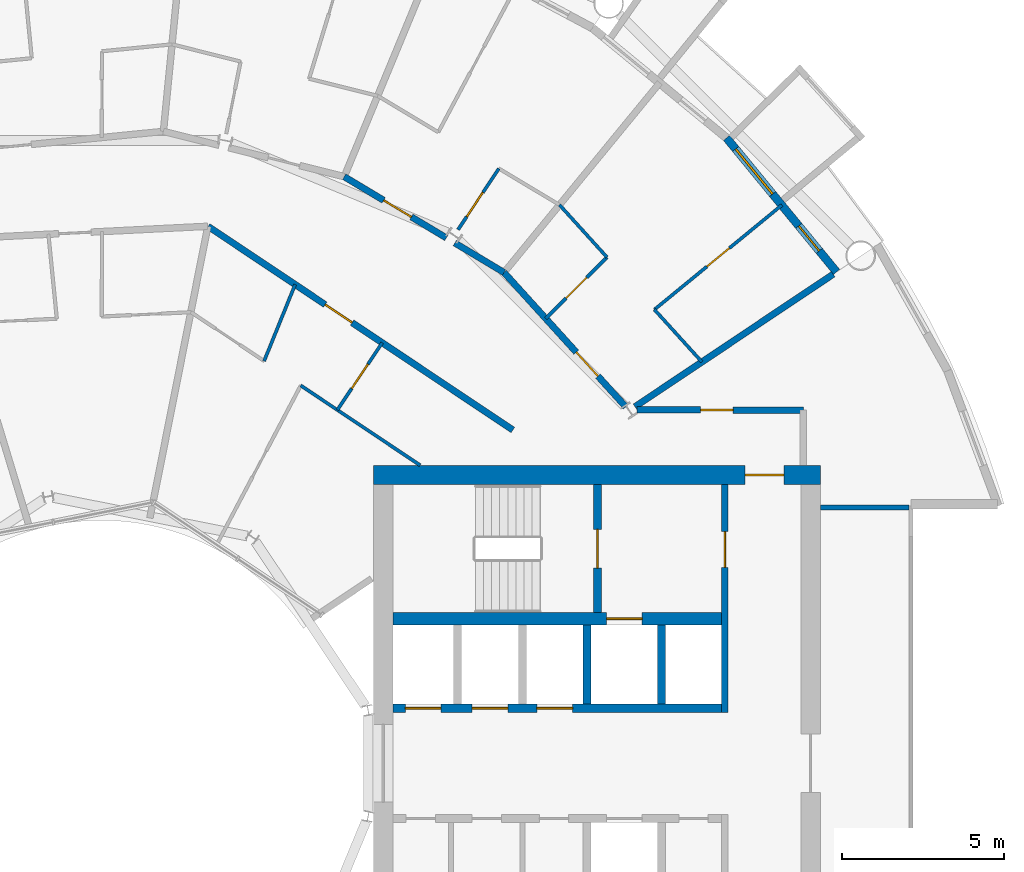
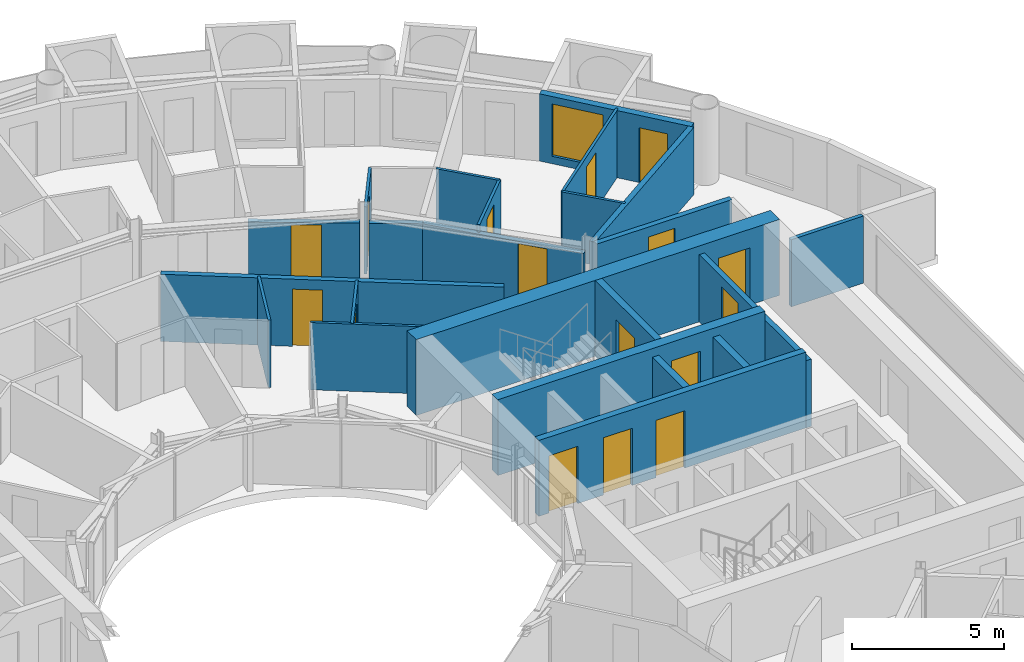
# One storey, part 22 of 26: 23 walls, 16 doors, 1 window, 17 openings.
"""IFC4 building model written with IfcOpenShell, lengths in metres."""

from ifc_helpers import new_model, si_unit, direction, frame, frame_2d, origin, place, context, subcontext, project, spatial, rectangle, extrude, material, layer, layer_set, type_object, element, fill, save


model = new_model("IFC4")

# Units and contexts
model_context = context("Model", 3, precision=1e-05, world=origin(), true_north=direction((0.0, 1.0)))
body_context = subcontext(model_context, "Body", "Model", "MODEL_VIEW")
ifc_project = project(units=[si_unit("LENGTHUNIT", "METRE"), si_unit("AREAUNIT", "SQUARE_METRE"), si_unit("VOLUMEUNIT", "CUBIC_METRE"), si_unit("PLANEANGLEUNIT", "RADIAN"), si_unit("MASSUNIT", "GRAM", prefix="KILO")], contexts=[model_context])

# Site, building, storey
site_placement = place(None, origin())
site = spatial("IfcSite", under=ifc_project, at=site_placement, CompositionType="ELEMENT")
building_placement = place(site_placement, origin())
building = spatial("IfcBuilding", under=site, at=building_placement, Name="Maasbend Ring Residences", CompositionType="ELEMENT")
storey_placement = place(building_placement, frame((0.0, 0.0, 123.85009765625)))
storey = spatial("IfcBuildingStorey", under=building, at=storey_placement, Name="L35", CompositionType="ELEMENT", Elevation=123.85009765625)

# Wall, openings, doors
ifc_material_1 = material(Name="Concrete C60/75", Category="concrete")
ifc_layer_1 = layer(ifc_material_1, 0.25)
ifc_layer_set_1 = layer_set([ifc_layer_1], Name="Concrete C60/75")
wall_type_1 = type_object("IfcWallType", Name="CORE WALL 250 C60/75", PredefinedType="SHEAR", material=ifc_layer_set_1)
wall_1_placement = place(storey_placement, frame((9.0, 1.699951171875, 0.0), z_axis=(0.0, 0.0, 1.0), x_axis=(1.0, 0.0, 0.0)))
wall_1 = element("IfcWall", 1, at=wall_1_placement, inside=storey, type_object=wall_type_1, Name="L35 core E wall SPN", PredefinedType="SHEAR", context=body_context, shape_type="SweptSolid", body=[
    extrude(rectangle(XDim=10.14990234375, YDim=0.25, at=frame_2d((5.074951171875, 0.0))), origin(), (0.0, 0.0, 1.0), 3.0498046875),
])
opening_1_placement = place(wall_1_placement, frame((0.387451171875, 0.0, 0.0)))
opening_1 = element("IfcOpeningElement", 2, at=opening_1_placement, cuts=wall_1, Name="Opening LD-E3501", PredefinedType="OPENING", context=body_context, shape_type="SweptSolid", body=[
    extrude(rectangle(XDim=1.10009765625, YDim=2.300048828125, at=frame_2d((0.550048828125, 1.14990234375))), frame((0.0, 0.135009765625, 0.0), z_axis=(0.0, -1.0, 0.0), x_axis=(1.0, 0.0, 0.0)), (0.0, 0.0, 1.0), 0.27001953125),
])
opening_2_placement = place(wall_1_placement, frame((2.449951171875, 0.0, 0.0)))
opening_2 = element("IfcOpeningElement", 3, at=opening_2_placement, cuts=wall_1, Name="Opening LD-E3502", PredefinedType="OPENING", context=body_context, shape_type="SweptSolid", body=[
    extrude(rectangle(XDim=1.10009765625, YDim=2.300048828125, at=frame_2d((0.550048828125, 1.14990234375))), frame((0.0, 0.135009765625, 0.0), z_axis=(0.0, -1.0, 0.0), x_axis=(1.0, 0.0, 0.0)), (0.0, 0.0, 1.0), 0.27001953125),
])
opening_3_placement = place(wall_1_placement, frame((4.449951171875, 0.0, 0.0)))
opening_3 = element("IfcOpeningElement", 4, at=opening_3_placement, cuts=wall_1, Name="Opening LD-E3503", PredefinedType="OPENING", context=body_context, shape_type="SweptSolid", body=[
    extrude(rectangle(XDim=1.10009765625, YDim=2.300048828125, at=frame_2d((0.550048828125, 1.14990234375))), frame((0.0, 0.135009765625, 0.0), z_axis=(0.0, -1.0, 0.0), x_axis=(1.0, 0.0, 0.0)), (0.0, 0.0, 1.0), 0.27001953125),
])
ifc_material_2 = material(Name="Stainless steel 316", Category="steel")
door_type_1 = type_object("IfcDoorType", Name="LANDING DOOR 1100 X 2300 FD60", OperationType="DOUBLE_DOOR_SLIDING", PredefinedType="DOOR", material=ifc_material_2)
door_1_placement = place(opening_1_placement, origin())
door_1 = element("IfcDoor", 5, at=door_1_placement, inside=storey, type_object=door_type_1, Name="Landing door LR-E1 L35", OperationType="DOUBLE_DOOR_SLIDING", OverallHeight=2.300048828125, OverallWidth=1.10009765625, PredefinedType="DOOR", context=body_context, shape_type="SweptSolid", body=[
    extrude(rectangle(XDim=1.10009765625, YDim=2.300048828125, at=frame_2d((0.550048828125, 1.14990234375))), frame((0.0, 0.02490234375, 0.0), z_axis=(0.0, -1.0, 0.0), x_axis=(1.0, 0.0, 0.0)), (0.0, 0.0, 1.0), 0.050048828125),
])
fill(opening_1, door_1)
door_2_placement = place(opening_2_placement, origin())
door_2 = element("IfcDoor", 6, at=door_2_placement, inside=storey, type_object=door_type_1, Name="Landing door LR-E2 L35", OperationType="DOUBLE_DOOR_SLIDING", OverallHeight=2.300048828125, OverallWidth=1.10009765625, PredefinedType="DOOR", context=body_context, shape_type="SweptSolid", body=[
    extrude(rectangle(XDim=1.10009765625, YDim=2.300048828125, at=frame_2d((0.550048828125, 1.14990234375))), frame((0.0, 0.02490234375, 0.0), z_axis=(0.0, -1.0, 0.0), x_axis=(1.0, 0.0, 0.0)), (0.0, 0.0, 1.0), 0.050048828125),
])
fill(opening_2, door_2)
door_3_placement = place(opening_3_placement, origin())
door_3 = element("IfcDoor", 7, at=door_3_placement, inside=storey, type_object=door_type_1, Name="Landing door LR-E3 L35", OperationType="DOUBLE_DOOR_SLIDING", OverallHeight=2.300048828125, OverallWidth=1.10009765625, PredefinedType="DOOR", context=body_context, shape_type="SweptSolid", body=[
    extrude(rectangle(XDim=1.10009765625, YDim=2.300048828125, at=frame_2d((0.550048828125, 1.14990234375))), frame((0.0, 0.02490234375, 0.0), z_axis=(0.0, -1.0, 0.0), x_axis=(1.0, 0.0, 0.0)), (0.0, 0.0, 1.0), 0.050048828125),
])
fill(opening_3, door_3)

# Wall, opening, door
wall_2_placement = place(storey_placement, frame((15.324951171875, 4.64990234375, 0.0), z_axis=(0.0, 0.0, 1.0), x_axis=(0.0, 1.0, 0.0)))
wall_2 = element("IfcWall", 8, at=wall_2_placement, inside=storey, type_object=wall_type_1, Name="L35 core E wall STEN", PredefinedType="SHEAR", context=body_context, shape_type="SweptSolid", body=[
    extrude(rectangle(XDim=3.9501953125, YDim=0.25, at=frame_2d((1.97509765625, 0.0))), origin(), (0.0, 0.0, 1.0), 3.0498046875),
])
opening_4_placement = place(wall_2_placement, frame((1.375, 0.0, 0.0)))
opening_4 = element("IfcOpeningElement", 9, at=opening_4_placement, cuts=wall_2, Name="Opening D-E3511", PredefinedType="OPENING", context=body_context, shape_type="SweptSolid", body=[
    extrude(rectangle(XDim=1.199951171875, YDim=2.300048828125, at=frame_2d((0.60009765625, 1.14990234375))), frame((0.0, 0.135009765625, 0.0), z_axis=(0.0, -1.0, 0.0), x_axis=(1.0, 0.0, 0.0)), (0.0, 0.0, 1.0), 0.27001953125),
])
ifc_material_3 = material(Name="Steel, powder coated", Category="steel")
door_type_2 = type_object("IfcDoorType", Name="STAIR DOOR 1200 X 2300 FD60", OperationType="NOTDEFINED", PredefinedType="DOOR", material=ifc_material_3)
door_4_placement = place(opening_4_placement, origin())
door_4 = element("IfcDoor", 10, at=door_4_placement, inside=storey, type_object=door_type_2, Name="Stair door ST-E L35", OperationType="SINGLE_SWING_LEFT", OverallHeight=2.300048828125, OverallWidth=1.199951171875, PredefinedType="DOOR", context=body_context, shape_type="SweptSolid", body=[
    extrude(rectangle(XDim=1.199951171875, YDim=2.300048828125, at=frame_2d((0.60009765625, 1.14990234375))), frame((0.0, 0.02490234375, 0.0), z_axis=(0.0, -1.0, 0.0), x_axis=(1.0, 0.0, 0.0)), (0.0, 0.0, 1.0), 0.050048828125),
])
fill(opening_4, door_4)

ifc_material_4 = material(Name="Concrete C60/75", Category="concrete")
ifc_layer_2 = layer(ifc_material_4, 0.375)
ifc_layer_set_2 = layer_set([ifc_layer_2], Name="Concrete C60/75")
wall_type_2 = type_object("IfcWallType", Name="CORE WALL 375 C60/75", PredefinedType="SHEAR", material=ifc_layer_set_2)
wall_3_placement = place(storey_placement, frame((9.0, 4.46240234375, 0.0), z_axis=(0.0, 0.0, 1.0), x_axis=(1.0, 0.0, 0.0)))
wall_3 = element("IfcWall", 11, at=wall_3_placement, inside=storey, type_object=wall_type_2, Name="L35 core E wall BN", PredefinedType="SHEAR", context=body_context, shape_type="SweptSolid", body=[
    extrude(rectangle(XDim=10.14990234375, YDim=0.375, at=frame_2d((5.074951171875, 0.0))), origin(), (0.0, 0.0, 1.0), 3.0498046875),
])
opening_5_placement = place(wall_3_placement, frame((6.60009765625, 0.0, 0.0)))
opening_5 = element("IfcOpeningElement", 12, at=opening_5_placement, cuts=wall_3, Name="Opening LD-E3504", PredefinedType="OPENING", context=body_context, shape_type="SweptSolid", body=[
    extrude(rectangle(XDim=1.10009765625, YDim=2.300048828125, at=frame_2d((0.550048828125, 1.14990234375))), frame((0.0, 0.197509765625, 0.0), z_axis=(0.0, -1.0, 0.0), x_axis=(1.0, 0.0, 0.0)), (0.0, 0.0, 1.0), 0.39501953125),
])
door_5_placement = place(opening_5_placement, origin())
door_5 = element("IfcDoor", 13, at=door_5_placement, inside=storey, type_object=door_type_1, Name="Landing door FF-E L35", OperationType="DOUBLE_DOOR_SLIDING", OverallHeight=2.300048828125, OverallWidth=1.10009765625, PredefinedType="DOOR", context=body_context, shape_type="SweptSolid", body=[
    extrude(rectangle(XDim=1.10009765625, YDim=2.300048828125, at=frame_2d((0.550048828125, 1.14990234375))), frame((0.0, 0.02490234375, 0.0), z_axis=(0.0, -1.0, 0.0), x_axis=(1.0, 0.0, 0.0)), (0.0, 0.0, 1.0), 0.050048828125),
])
fill(opening_5, door_5)

ifc_material_5 = material(Name="Concrete C60/75", Category="concrete")
ifc_layer_3 = layer(ifc_material_5, 0.60009765625)
ifc_layer_set_3 = layer_set([ifc_layer_3], Name="Concrete C60/75")
wall_type_3 = type_object("IfcWallType", Name="CORE WALL 600 C60/75", PredefinedType="SHEAR", material=ifc_layer_set_3)
wall_4_placement = place(storey_placement, frame((22.199951171875, 8.89990234375, 0.0), z_axis=(0.0, 0.0, 1.0), x_axis=(-1.0, 0.0, 0.0)))
wall_4 = element("IfcWall", 14, at=wall_4_placement, inside=storey, type_object=wall_type_3, Name="L35 core E wall PN", PredefinedType="SHEAR", context=body_context, shape_type="SweptSolid", body=[
    extrude(rectangle(XDim=13.800048828125, YDim=0.60009765625, at=frame_2d((6.89990234375, 0.0))), origin(), (0.0, 0.0, 1.0), 3.0498046875),
])
opening_6_placement = place(wall_4_placement, frame((1.125, 0.0, 0.0)))
opening_6 = element("IfcOpeningElement", 15, at=opening_6_placement, cuts=wall_4, Name="Opening D-E3515", PredefinedType="OPENING", context=body_context, shape_type="SweptSolid", body=[
    extrude(rectangle(XDim=1.199951171875, YDim=2.300048828125, at=frame_2d((0.60009765625, 1.14990234375))), frame((0.0, 0.31005859375, 0.0), z_axis=(0.0, -1.0, 0.0), x_axis=(1.0, 0.0, 0.0)), (0.0, 0.0, 1.0), 0.6201171875),
])
ifc_material_6 = material(Name="Steel, powder coated", Category="steel")
door_type_3 = type_object("IfcDoorType", Name="CORRIDOR DOOR 1200 X 2300 FD30S", OperationType="NOTDEFINED", PredefinedType="DOOR", material=ifc_material_6)
door_6_placement = place(opening_6_placement, origin())
door_6 = element("IfcDoor", 16, at=door_6_placement, inside=storey, type_object=door_type_3, Name="Corridor door L35", OperationType="SINGLE_SWING_RIGHT", OverallHeight=2.300048828125, OverallWidth=1.199951171875, PredefinedType="DOOR", context=body_context, shape_type="SweptSolid", body=[
    extrude(rectangle(XDim=1.199951171875, YDim=2.300048828125, at=frame_2d((0.60009765625, 1.14990234375))), frame((0.0, 0.02490234375, 0.0), z_axis=(0.0, -1.0, 0.0), x_axis=(1.0, 0.0, 0.0)), (0.0, 0.0, 1.0), 0.050048828125),
])
fill(opening_6, door_6)

ifc_material_7 = material(Name="Concrete C30/37", Category="concrete")
ifc_layer_4 = layer(ifc_material_7, 0.199951171875)
ifc_layer_set_4 = layer_set([ifc_layer_4], Name="Concrete C30/37")
wall_type_4 = type_object("IfcWallType", Name="CORRIDOR WALL 200 CONCRETE", PredefinedType="PARTITIONING", material=ifc_layer_set_4)
wall_5_placement = place(storey_placement, frame((16.541015625, 10.912109375, 0.0), z_axis=(0.0, 0.0, 1.0), x_axis=(0.999997173357, -0.002377662213, 0.0)))
wall_5 = element("IfcWall", 17, at=wall_5_placement, inside=storey, type_object=wall_type_4, Name="U-L35-w099", PredefinedType="PARTITIONING", context=body_context, shape_type="SweptSolid", body=[
    extrude(rectangle(XDim=5.134033203125, YDim=0.199951171875, at=frame_2d((2.56689453125, 0.0))), origin(), (0.0, 0.0, 1.0), 2.699951171875),
])
opening_7_placement = place(wall_5_placement, frame((1.962890625, 0.0, 0.0)))
opening_7 = element("IfcOpeningElement", 18, at=opening_7_placement, cuts=wall_5, Name="Opening D-3566", PredefinedType="OPENING", context=body_context, shape_type="SweptSolid", body=[
    extrude(rectangle(XDim=1.0, YDim=2.300048828125, at=frame_2d((0.5, 1.14990234375))), frame((0.0, 0.10986328125, 0.0), z_axis=(0.0, -1.0, 0.0), x_axis=(1.0, 0.0, 0.0)), (0.0, 0.0, 1.0), 0.219970703125),
])
ifc_material_8 = material(Name="Timber, painted", Category="wood")
door_type_4 = type_object("IfcDoorType", Name="ROOM DOOR 1000 X 2300", OperationType="NOTDEFINED", PredefinedType="DOOR", material=ifc_material_8)
door_7_placement = place(opening_7_placement, origin())
door_7 = element("IfcDoor", 19, at=door_7_placement, inside=storey, type_object=door_type_4, Name="D-3566", OperationType="SINGLE_SWING_LEFT", OverallHeight=2.300048828125, OverallWidth=1.0, PredefinedType="DOOR", context=body_context, shape_type="SweptSolid", body=[
    extrude(rectangle(XDim=1.0, YDim=2.300048828125, at=frame_2d((0.5, 1.14990234375))), frame((0.0, 0.02490234375, 0.0), z_axis=(0.0, -1.0, 0.0), x_axis=(1.0, 0.0, 0.0)), (0.0, 0.0, 1.0), 0.050048828125),
])
fill(opening_7, door_7)

wall_6_placement = place(storey_placement, frame((3.300048828125, 16.573974609375, 0.0), z_axis=(0.0, 0.0, 1.0), x_axis=(0.831455567902, -0.555591251376, 0.0)))
wall_6 = element("IfcWall", 20, at=wall_6_placement, inside=storey, type_object=wall_type_4, Name="U-L35-w106", PredefinedType="PARTITIONING", context=body_context, shape_type="SweptSolid", body=[
    extrude(rectangle(XDim=11.31396484375, YDim=0.199951171875, at=frame_2d((5.656982421875, 0.0))), origin(), (0.0, 0.0, 1.0), 2.699951171875),
])
opening_8_placement = place(wall_6_placement, frame((4.345947265625, 0.0, 0.0)))
opening_8 = element("IfcOpeningElement", 21, at=opening_8_placement, cuts=wall_6, Name="Opening D-3521", PredefinedType="OPENING", context=body_context, shape_type="SweptSolid", body=[
    extrude(rectangle(XDim=1.0, YDim=2.300048828125, at=frame_2d((0.5, 1.14990234375))), frame((0.0, 0.10986328125, 0.0), z_axis=(0.0, -1.0, 0.0), x_axis=(1.0, 0.0, 0.0)), (0.0, 0.0, 1.0), 0.219970703125),
])
ifc_material_9 = material(Name="Timber, fire-rated, painted", Category="wood")
door_type_5 = type_object("IfcDoorType", Name="FLAT ENTRANCE DOOR 1000 X 2300 FIRE-RATED", OperationType="NOTDEFINED", PredefinedType="DOOR", material=ifc_material_9)
door_8_placement = place(opening_8_placement, origin())
door_8 = element("IfcDoor", 22, at=door_8_placement, inside=storey, type_object=door_type_5, Name="D-3521", OperationType="SINGLE_SWING_LEFT", OverallHeight=2.300048828125, OverallWidth=1.0, PredefinedType="DOOR", context=body_context, shape_type="SweptSolid", body=[
    extrude(rectangle(XDim=1.0, YDim=2.300048828125, at=frame_2d((0.5, 1.14990234375))), frame((0.0, 0.02490234375, 0.0), z_axis=(0.0, -1.0, 0.0), x_axis=(1.0, 0.0, 0.0)), (0.0, 0.0, 1.0), 0.050048828125),
])
fill(opening_8, door_8)

wall_7_placement = place(storey_placement, frame((7.5009765625, 18.10791015625, 0.0), z_axis=(0.0, 0.0, 1.0), x_axis=(0.857774179698, -0.514026708103, 0.0)))
wall_7 = element("IfcWall", 23, at=wall_7_placement, inside=storey, type_object=wall_type_4, Name="U-L35-w114", PredefinedType="PARTITIONING", context=body_context, shape_type="SweptSolid", body=[
    extrude(rectangle(XDim=3.6748046875, YDim=0.199951171875, at=frame_2d((1.83740234375, 0.0))), origin(), (0.0, 0.0, 1.0), 2.389892578125),
])
opening_9_placement = place(wall_7_placement, frame((1.41796875, 0.0, 0.0)))
opening_9 = element("IfcOpeningElement", 24, at=opening_9_placement, cuts=wall_7, Name="Opening D-3504", PredefinedType="OPENING", context=body_context, shape_type="SweptSolid", body=[
    extrude(rectangle(XDim=1.0, YDim=2.300048828125, at=frame_2d((0.5, 1.14990234375))), frame((0.0, 0.10986328125, 0.0), z_axis=(0.0, -1.0, 0.0), x_axis=(1.0, 0.0, 0.0)), (0.0, 0.0, 1.0), 0.219970703125),
])
door_9_placement = place(opening_9_placement, origin())
door_9 = element("IfcDoor", 25, at=door_9_placement, inside=storey, type_object=door_type_5, Name="D-3504", OperationType="SINGLE_SWING_RIGHT", OverallHeight=2.300048828125, OverallWidth=1.0, PredefinedType="DOOR", context=body_context, shape_type="SweptSolid", body=[
    extrude(rectangle(XDim=1.0, YDim=2.300048828125, at=frame_2d((0.5, 1.14990234375))), frame((0.0, 0.02490234375, 0.0), z_axis=(0.0, -1.0, 0.0), x_axis=(1.0, 0.0, 0.0)), (0.0, 0.0, 1.0), 0.050048828125),
])
fill(opening_9, door_9)

# Wall
wall_8_placement = place(storey_placement, frame((10.916015625, 16.06103515625, 0.0), z_axis=(0.0, 0.0, 1.0), x_axis=(0.857663265693, -0.514211748875, 0.0)))
element("IfcWall", 26, at=wall_8_placement, inside=storey, type_object=wall_type_4, Name="U-L35-w115", PredefinedType="PARTITIONING", context=body_context, shape_type="SweptSolid", body=[
    extrude(rectangle(XDim=1.77001953125, YDim=0.199951171875, at=frame_2d((0.885009765625, 0.0))), origin(), (0.0, 0.0, 1.0), 2.389892578125),
])

# Wall, opening, door
wall_9_placement = place(storey_placement, frame((12.43408203125, 15.15087890625, 0.0), z_axis=(0.0, 0.0, 1.0), x_axis=(0.671481997275, -0.741020868354, 0.0)))
wall_9 = element("IfcWall", 27, at=wall_9_placement, inside=storey, type_object=wall_type_4, Name="U-L35-w116", PredefinedType="PARTITIONING", context=body_context, shape_type="SweptSolid", body=[
    extrude(rectangle(XDim=5.59619140625, YDim=0.199951171875, at=frame_2d((2.798095703125, 0.0))), origin(), (0.0, 0.0, 1.0), 2.389892578125),
])
opening_10_placement = place(wall_9_placement, frame((3.319091796875, 0.0, 0.0)))
opening_10 = element("IfcOpeningElement", 28, at=opening_10_placement, cuts=wall_9, Name="Opening D-3501", PredefinedType="OPENING", context=body_context, shape_type="SweptSolid", body=[
    extrude(rectangle(XDim=1.0, YDim=2.300048828125, at=frame_2d((0.5, 1.14990234375))), frame((0.0, 0.10986328125, 0.0), z_axis=(0.0, -1.0, 0.0), x_axis=(1.0, 0.0, 0.0)), (0.0, 0.0, 1.0), 0.219970703125),
])
door_10_placement = place(opening_10_placement, origin())
door_10 = element("IfcDoor", 29, at=door_10_placement, inside=storey, type_object=door_type_5, Name="D-3501", OperationType="SINGLE_SWING_RIGHT", OverallHeight=2.300048828125, OverallWidth=1.0, PredefinedType="DOOR", context=body_context, shape_type="SweptSolid", body=[
    extrude(rectangle(XDim=1.0, YDim=2.300048828125, at=frame_2d((0.5, 1.14990234375))), frame((0.0, 0.02490234375, 0.0), z_axis=(0.0, -1.0, 0.0), x_axis=(1.0, 0.0, 0.0)), (0.0, 0.0, 1.0), 0.050048828125),
])
fill(opening_10, door_10)

# Wall, openings, door, window
ifc_material_10 = material(Name="Aluminium clad insulated panel", Category="aluminium")
ifc_layer_5 = layer(ifc_material_10, 0.25)
ifc_layer_set_5 = layer_set([ifc_layer_5], Name="EW-GL")
wall_type_5 = type_object("IfcWallType", Name="EW-GL", PredefinedType="SOLIDWALL", material=ifc_layer_set_5)
wall_10_placement = place(storey_placement, frame((22.698974609375, 15.1669921875, 0.0), z_axis=(0.0, 0.0, 1.0), x_axis=(-0.634382322723, 0.773019449054, 0.0)))
wall_10 = element("IfcWall", 30, at=wall_10_placement, inside=storey, type_object=wall_type_5, Name="External wall N01", PredefinedType="SOLIDWALL", context=body_context, shape_type="SweptSolid", body=[
    extrude(rectangle(XDim=5.351806640625, YDim=0.25, at=frame_2d((2.67578125, 0.0))), origin(), (0.0, 0.0, 1.0), 2.699951171875),
])
opening_11_placement = place(wall_10_placement, frame((0.841064453125, 0.0, 0.0)))
opening_11 = element("IfcOpeningElement", 31, at=opening_11_placement, cuts=wall_10, Name="Opening D-LG", PredefinedType="OPENING", context=body_context, shape_type="SweptSolid", body=[
    extrude(rectangle(XDim=1.0, YDim=2.199951171875, at=frame_2d((0.5, 1.10009765625))), frame((0.0, 0.135009765625, 0.0), z_axis=(0.0, -1.0, 0.0), x_axis=(1.0, 0.0, 0.0)), (0.0, 0.0, 1.0), 0.27001953125),
])
opening_12_placement = place(wall_10_placement, frame((3.110595703125, 0.0, 0.300048828125)))
opening_12 = element("IfcOpeningElement", 32, at=opening_12_placement, cuts=wall_10, Name="Opening W-BX", PredefinedType="OPENING", context=body_context, shape_type="SweptSolid", body=[
    extrude(rectangle(XDim=1.800048828125, YDim=2.10009765625, at=frame_2d((0.89990234375, 1.050048828125))), frame((0.0, 0.135009765625, 0.0), z_axis=(0.0, -1.0, 0.0), x_axis=(1.0, 0.0, 0.0)), (0.0, 0.0, 1.0), 0.27001953125),
])
ifc_material_11 = material(Name="Aluminium and clear glass", Category="aluminium")
door_type_6 = type_object("IfcDoorType", Name="D-LG", OperationType="SINGLE_SWING_LEFT", PredefinedType="DOOR", material=ifc_material_11)
door_11_placement = place(opening_11_placement, origin())
door_11 = element("IfcDoor", 33, at=door_11_placement, inside=storey, type_object=door_type_6, Name="Loggia door N01", OperationType="SINGLE_SWING_LEFT", OverallHeight=2.199951171875, OverallWidth=1.0, PredefinedType="DOOR", context=body_context, shape_type="SweptSolid", body=[
    extrude(rectangle(XDim=1.0, YDim=2.199951171875, at=frame_2d((0.5, 1.10009765625))), frame((0.0, 0.02490234375, 0.0), z_axis=(0.0, -1.0, 0.0), x_axis=(1.0, 0.0, 0.0)), (0.0, 0.0, 1.0), 0.050048828125),
])
fill(opening_11, door_11)
ifc_material_12 = material(Name="Aluminium and clear glass", Category="aluminium")
window_type = type_object("IfcWindowType", Name="W-BX", PartitioningType="DOUBLE_PANEL_VERTICAL", PredefinedType="WINDOW", material=ifc_material_12)
window_placement = place(opening_12_placement, origin())
window = element("IfcWindow", 34, at=window_placement, inside=storey, type_object=window_type, Name="Window N02 room to box", OverallHeight=2.10009765625, OverallWidth=1.800048828125, PartitioningType="SINGLE_PANEL", PredefinedType="WINDOW", context=body_context, shape_type="SweptSolid", body=[
    extrude(rectangle(XDim=1.800048828125, YDim=2.10009765625, at=frame_2d((0.89990234375, 1.050048828125))), frame((0.0, 0.030029296875, 0.0), z_axis=(0.0, -1.0, 0.0), x_axis=(1.0, 0.0, 0.0)), (0.0, 0.0, 1.0), 0.06005859375),
])
fill(opening_12, window)

# Wall
ifc_material_13 = material(Name="Gypsum board on steel studs", Category="steel")
ifc_layer_6 = layer(ifc_material_13, 0.10009765625)
ifc_layer_set_6 = layer_set([ifc_layer_6], Name="PARTITION 100 GYPSUM")
wall_type_6 = type_object("IfcWallType", Name="PARTITION 100 GYPSUM", PredefinedType="PARTITIONING", material=ifc_layer_set_6)
wall_11_placement = place(storey_placement, frame((5.029052734375, 12.41796875, 0.0), z_axis=(0.0, 0.0, 1.0), x_axis=(0.375649498413, 0.926761811008, 0.0)))
element("IfcWall", 35, at=wall_11_placement, inside=storey, type_object=wall_type_6, Name="U-L35-w077", PredefinedType="PARTITIONING", context=body_context, shape_type="SweptSolid", body=[
    extrude(rectangle(XDim=2.547607421875, YDim=0.10009765625, at=frame_2d((1.27392578125, 0.0))), origin(), (0.0, 0.0, 1.0), 2.699951171875),
])

# Wall, opening, door
wall_12_placement = place(storey_placement, frame((7.2890625, 10.907958984375, 0.0), z_axis=(0.0, 0.0, 1.0), x_axis=(0.555355163998, 0.831613276602, 0.0)))
wall_12 = element("IfcWall", 36, at=wall_12_placement, inside=storey, type_object=wall_type_6, Name="U-L35-w081", PredefinedType="PARTITIONING", context=body_context, shape_type="SweptSolid", body=[
    extrude(rectangle(XDim=2.493896484375, YDim=0.10009765625, at=frame_2d((1.2470703125, 0.0))), origin(), (0.0, 0.0, 1.0), 2.699951171875),
])
opening_13_placement = place(wall_12_placement, frame((0.797119140625, 0.0, 0.0)))
opening_13 = element("IfcOpeningElement", 37, at=opening_13_placement, cuts=wall_12, Name="Opening D-3523", PredefinedType="OPENING", context=body_context, shape_type="SweptSolid", body=[
    extrude(rectangle(XDim=0.89990234375, YDim=2.300048828125, at=frame_2d((0.449951171875, 1.14990234375))), frame((0.0, 0.06005859375, 0.0), z_axis=(0.0, -1.0, 0.0), x_axis=(1.0, 0.0, 0.0)), (0.0, 0.0, 1.0), 0.1201171875),
])
ifc_material_14 = material(Name="Timber, painted", Category="wood")
door_type_7 = type_object("IfcDoorType", Name="INTERNAL DOOR 900 X 2300", OperationType="NOTDEFINED", PredefinedType="DOOR", material=ifc_material_14)
door_12_placement = place(opening_13_placement, origin())
door_12 = element("IfcDoor", 38, at=door_12_placement, inside=storey, type_object=door_type_7, Name="D-3523", OperationType="SINGLE_SWING_RIGHT", OverallHeight=2.300048828125, OverallWidth=0.89990234375, PredefinedType="DOOR", context=body_context, shape_type="SweptSolid", body=[
    extrude(rectangle(XDim=0.89990234375, YDim=2.300048828125, at=frame_2d((0.449951171875, 1.14990234375))), frame((0.0, 0.02490234375, 0.0), z_axis=(0.0, -1.0, 0.0), x_axis=(1.0, 0.0, 0.0)), (0.0, 0.0, 1.0), 0.050048828125),
])
fill(opening_13, door_12)

wall_13_placement = place(storey_placement, frame((11.014892578125, 16.472900390625, 0.0), z_axis=(0.0, 0.0, 1.0), x_axis=(0.555568680968, 0.831470649348, 0.0)))
wall_13 = element("IfcWall", 39, at=wall_13_placement, inside=storey, type_object=wall_type_6, Name="U-L35-w087", PredefinedType="PARTITIONING", context=body_context, shape_type="SweptSolid", body=[
    extrude(rectangle(XDim=2.269775390625, YDim=0.10009765625, at=frame_2d((1.134765625, 0.0))), origin(), (0.0, 0.0, 1.0), 2.699951171875),
])
opening_14_placement = place(wall_13_placement, frame((0.48291015625, 0.0, 0.0)))
opening_14 = element("IfcOpeningElement", 40, at=opening_14_placement, cuts=wall_13, Name="Opening D-3505", PredefinedType="OPENING", context=body_context, shape_type="SweptSolid", body=[
    extrude(rectangle(XDim=0.89990234375, YDim=2.300048828125, at=frame_2d((0.449951171875, 1.14990234375))), frame((0.0, 0.06005859375, 0.0), z_axis=(0.0, -1.0, 0.0), x_axis=(1.0, 0.0, 0.0)), (0.0, 0.0, 1.0), 0.1201171875),
])
door_13_placement = place(opening_14_placement, origin())
door_13 = element("IfcDoor", 41, at=door_13_placement, inside=storey, type_object=door_type_7, Name="D-3505", OperationType="SINGLE_SWING_LEFT", OverallHeight=2.300048828125, OverallWidth=0.89990234375, PredefinedType="DOOR", context=body_context, shape_type="SweptSolid", body=[
    extrude(rectangle(XDim=0.89990234375, YDim=2.300048828125, at=frame_2d((0.449951171875, 1.14990234375))), frame((0.0, 0.02490234375, 0.0), z_axis=(0.0, -1.0, 0.0), x_axis=(1.0, 0.0, 0.0)), (0.0, 0.0, 1.0), 0.050048828125),
])
fill(opening_14, door_13)

wall_14_placement = place(storey_placement, frame((13.721923828125, 13.72998046875, 0.0), z_axis=(0.0, 0.0, 1.0), x_axis=(0.706741540154, 0.707471833659, 0.0)))
wall_14 = element("IfcWall", 42, at=wall_14_placement, inside=storey, type_object=wall_type_6, Name="U-L35-w090", PredefinedType="PARTITIONING", context=body_context, shape_type="SweptSolid", body=[
    extrude(rectangle(XDim=2.67431640625, YDim=0.10009765625, at=frame_2d((1.337158203125, 0.0))), origin(), (0.0, 0.0, 1.0), 2.699951171875),
])
opening_15_placement = place(wall_14_placement, frame((0.886962890625, 0.0, 0.0)))
opening_15 = element("IfcOpeningElement", 43, at=opening_15_placement, cuts=wall_14, Name="Opening D-3502", PredefinedType="OPENING", context=body_context, shape_type="SweptSolid", body=[
    extrude(rectangle(XDim=0.89990234375, YDim=2.300048828125, at=frame_2d((0.449951171875, 1.14990234375))), frame((0.0, 0.06005859375, 0.0), z_axis=(0.0, -1.0, 0.0), x_axis=(1.0, 0.0, 0.0)), (0.0, 0.0, 1.0), 0.1201171875),
])
door_14_placement = place(opening_15_placement, origin())
door_14 = element("IfcDoor", 44, at=door_14_placement, inside=storey, type_object=door_type_7, Name="D-3502", OperationType="SINGLE_SWING_RIGHT", OverallHeight=2.300048828125, OverallWidth=0.89990234375, PredefinedType="DOOR", context=body_context, shape_type="SweptSolid", body=[
    extrude(rectangle(XDim=0.89990234375, YDim=2.300048828125, at=frame_2d((0.449951171875, 1.14990234375))), frame((0.0, 0.02490234375, 0.0), z_axis=(0.0, -1.0, 0.0), x_axis=(1.0, 0.0, 0.0)), (0.0, 0.0, 1.0), 0.050048828125),
])
fill(opening_15, door_14)

wall_15_placement = place(storey_placement, frame((17.076904296875, 14.006103515625, 0.0), z_axis=(0.0, 0.0, 1.0), x_axis=(0.77326214499, 0.634086472908, 0.0)))
wall_15 = element("IfcWall", 45, at=wall_15_placement, inside=storey, type_object=wall_type_6, Name="U-L35-w095", PredefinedType="PARTITIONING", context=body_context, shape_type="SweptSolid", body=[
    extrude(rectangle(XDim=5.0888671875, YDim=0.10009765625, at=frame_2d((2.54443359375, 0.0))), origin(), (0.0, 0.0, 1.0), 2.699951171875),
])
opening_16_placement = place(wall_15_placement, frame((2.093994140625, 0.0, 0.0)))
opening_16 = element("IfcOpeningElement", 46, at=opening_16_placement, cuts=wall_15, Name="Opening D-3503", PredefinedType="OPENING", context=body_context, shape_type="SweptSolid", body=[
    extrude(rectangle(XDim=0.89990234375, YDim=2.300048828125, at=frame_2d((0.449951171875, 1.14990234375))), frame((0.0, 0.06005859375, 0.0), z_axis=(0.0, -1.0, 0.0), x_axis=(1.0, 0.0, 0.0)), (0.0, 0.0, 1.0), 0.1201171875),
])
door_15_placement = place(opening_16_placement, origin())
door_15 = element("IfcDoor", 47, at=door_15_placement, inside=storey, type_object=door_type_7, Name="D-3503", OperationType="SINGLE_SWING_RIGHT", OverallHeight=2.300048828125, OverallWidth=0.89990234375, PredefinedType="DOOR", context=body_context, shape_type="SweptSolid", body=[
    extrude(rectangle(XDim=0.89990234375, YDim=2.300048828125, at=frame_2d((0.449951171875, 1.14990234375))), frame((0.0, 0.02490234375, 0.0), z_axis=(0.0, -1.0, 0.0), x_axis=(1.0, 0.0, 0.0)), (0.0, 0.0, 1.0), 0.050048828125),
])
fill(opening_16, door_15)

# Walls
wall_16_placement = place(storey_placement, frame((6.158935546875, 11.6630859375, 0.0), z_axis=(0.0, 0.0, 1.0), x_axis=(0.831448270228, -0.555602172363, 0.0)))
element("IfcWall", 48, at=wall_16_placement, inside=storey, type_object=wall_type_6, Name="U-L35-w101", PredefinedType="PARTITIONING", context=body_context, shape_type="SweptSolid", body=[
    extrude(rectangle(XDim=4.433349609375, YDim=0.10009765625, at=frame_2d((2.216796875, 0.0))), origin(), (0.0, 0.0, 1.0), 2.699951171875),
])
wall_17_placement = place(storey_placement, frame((14.14697265625, 17.238037109375, 0.0), z_axis=(0.0, 0.0, 1.0), x_axis=(0.671674967707, -0.740845960882, 0.0)))
element("IfcWall", 49, at=wall_17_placement, inside=storey, type_object=wall_type_6, Name="U-L35-w129", PredefinedType="PARTITIONING", context=body_context, shape_type="SweptSolid", body=[
    extrude(rectangle(XDim=2.18115234375, YDim=0.10009765625, at=frame_2d((1.090576171875, 0.0))), origin(), (0.0, 0.0, 1.0), 2.699951171875),
])
wall_18_placement = place(storey_placement, frame((17.072021484375, 14.010986328125, 0.0), z_axis=(0.0, 0.0, 1.0), x_axis=(0.67169789574, -0.740825172937, 0.0)))
element("IfcWall", 50, at=wall_18_placement, inside=storey, type_object=wall_type_6, Name="U-L35-w130", PredefinedType="PARTITIONING", context=body_context, shape_type="SweptSolid", body=[
    extrude(rectangle(XDim=2.1826171875, YDim=0.10009765625, at=frame_2d((1.09130859375, 0.0))), origin(), (0.0, 0.0, 1.0), 2.699951171875),
])
ifc_material_15 = material(Name="Gypsum board on steel studs", Category="steel")
ifc_layer_7 = layer(ifc_material_15, 0.14990234375)
ifc_layer_set_7 = layer_set([ifc_layer_7], Name="PARTITION 150 EI 60")
wall_type_7 = type_object("IfcWallType", Name="PARTITION 150 EI 60", PredefinedType="PARTITIONING", material=ifc_layer_set_7)
wall_19_placement = place(storey_placement, frame((22.199951171875, 7.89990234375, 0.0), z_axis=(0.0, 0.0, 1.0), x_axis=(1.0, 0.0, 0.0)))
element("IfcWall", 51, at=wall_19_placement, inside=storey, type_object=wall_type_7, Name="L35 core E wall CITN", PredefinedType="PARTITIONING", context=body_context, shape_type="SweptSolid", body=[
    extrude(rectangle(XDim=2.739990234375, YDim=0.14990234375, at=frame_2d((1.3701171875, 0.0))), origin(), (0.0, 0.0, 1.0), 2.699951171875),
])
ifc_material_16 = material(Name="Concrete C30/37", Category="concrete")
ifc_layer_8 = layer(ifc_material_16, 0.199951171875)
ifc_layer_set_8 = layer_set([ifc_layer_8], Name="Concrete C30/37")
wall_type_8 = type_object("IfcWallType", Name="PARTY WALL 200 CONCRETE", PredefinedType="PARTITIONING", material=ifc_layer_set_8)
wall_20_placement = place(storey_placement, frame((16.47705078125, 11.009033203125, 0.0), z_axis=(0.0, 0.0, 1.0), x_axis=(0.831406593008, 0.555664536482, 0.0)))
element("IfcWall", 52, at=wall_20_placement, inside=storey, type_object=wall_type_8, Name="U-L35-w093", PredefinedType="PARTITIONING", context=body_context, shape_type="SweptSolid", body=[
    extrude(rectangle(XDim=7.3583984375, YDim=0.199951171875, at=frame_2d((3.67919921875, 0.0))), origin(), (0.0, 0.0, 1.0), 2.699951171875),
])

# Wall, opening, door
ifc_material_17 = material(Name="Concrete C30/37", Category="concrete")
ifc_layer_9 = layer(ifc_material_17, 0.199951171875)
ifc_layer_set_9 = layer_set([ifc_layer_9], Name="Concrete C30/37")
wall_type_9 = type_object("IfcWallType", Name="SHAFT WALL 200 EI 120", PredefinedType="SOLIDWALL", material=ifc_layer_set_9)
wall_21_placement = place(storey_placement, frame((19.25, 1.574951171875, 0.0), z_axis=(0.0, 0.0, 1.0), x_axis=(0.0, 1.0, 0.0)))
wall_21 = element("IfcWall", 53, at=wall_21_placement, inside=storey, type_object=wall_type_9, Name="L35 core E wall ENDN", PredefinedType="SOLIDWALL", context=body_context, shape_type="SweptSolid", body=[
    extrude(rectangle(XDim=7.025146484375, YDim=0.199951171875, at=frame_2d((3.5126953125, 0.0))), origin(), (0.0, 0.0, 1.0), 2.699951171875),
])
opening_17_placement = place(wall_21_placement, frame((4.47509765625, 0.0, 0.0)))
opening_17 = element("IfcOpeningElement", 54, at=opening_17_placement, cuts=wall_21, Name="Opening D-E3513", PredefinedType="OPENING", context=body_context, shape_type="SweptSolid", body=[
    extrude(rectangle(XDim=1.10009765625, YDim=2.300048828125, at=frame_2d((0.550048828125, 1.14990234375))), frame((0.0, 0.10986328125, 0.0), z_axis=(0.0, -1.0, 0.0), x_axis=(1.0, 0.0, 0.0)), (0.0, 0.0, 1.0), 0.219970703125),
])
ifc_material_18 = material(Name="Steel, powder coated", Category="steel")
door_type_8 = type_object("IfcDoorType", Name="LOBBY DOOR 1100 X 2300 FD60", OperationType="NOTDEFINED", PredefinedType="DOOR", material=ifc_material_18)
door_16_placement = place(opening_17_placement, origin())
door_16 = element("IfcDoor", 55, at=door_16_placement, inside=storey, type_object=door_type_8, Name="Lobby door L35", OperationType="SINGLE_SWING_LEFT", OverallHeight=2.300048828125, OverallWidth=1.10009765625, PredefinedType="DOOR", context=body_context, shape_type="SweptSolid", body=[
    extrude(rectangle(XDim=1.10009765625, YDim=2.300048828125, at=frame_2d((0.550048828125, 1.14990234375))), frame((0.0, 0.02490234375, 0.0), z_axis=(0.0, -1.0, 0.0), x_axis=(1.0, 0.0, 0.0)), (0.0, 0.0, 1.0), 0.050048828125),
])
fill(opening_17, door_16)

# Walls
ifc_material_19 = material(Name="Concrete C30/37", Category="concrete")
ifc_layer_10 = layer(ifc_material_19, 0.25)
ifc_layer_set_10 = layer_set([ifc_layer_10], Name="Concrete C30/37")
wall_type_10 = type_object("IfcWallType", Name="SHAFT WALL 250 EI 120", PredefinedType="SOLIDWALL", material=ifc_layer_set_10)
for number, where, z_axis, x_axis, name in (
    (56, (15.0, 1.824951171875, 0.0), (0.0, 0.0, 1.0), (0.0, 1.0, 0.0), "L35 core E wall D150N"),
    (57, (17.300048828125, 1.824951171875, 0.0), (0.0, 0.0, 1.0), (0.0, 1.0, 0.0), "L35 core E wall D173N"),
):
    element("IfcWall", number, at=place(storey_placement, frame(where, z_axis=z_axis, x_axis=x_axis)), inside=storey, type_object=wall_type_10, Name=name, PredefinedType="SOLIDWALL", context=body_context, shape_type="SweptSolid", body=[
        extrude(rectangle(XDim=2.449951171875, YDim=0.25, at=frame_2d((1.22509765625, 0.0))), origin(), (0.0, 0.0, 1.0), 2.699951171875),
    ])

save(model, "model.ifc")
